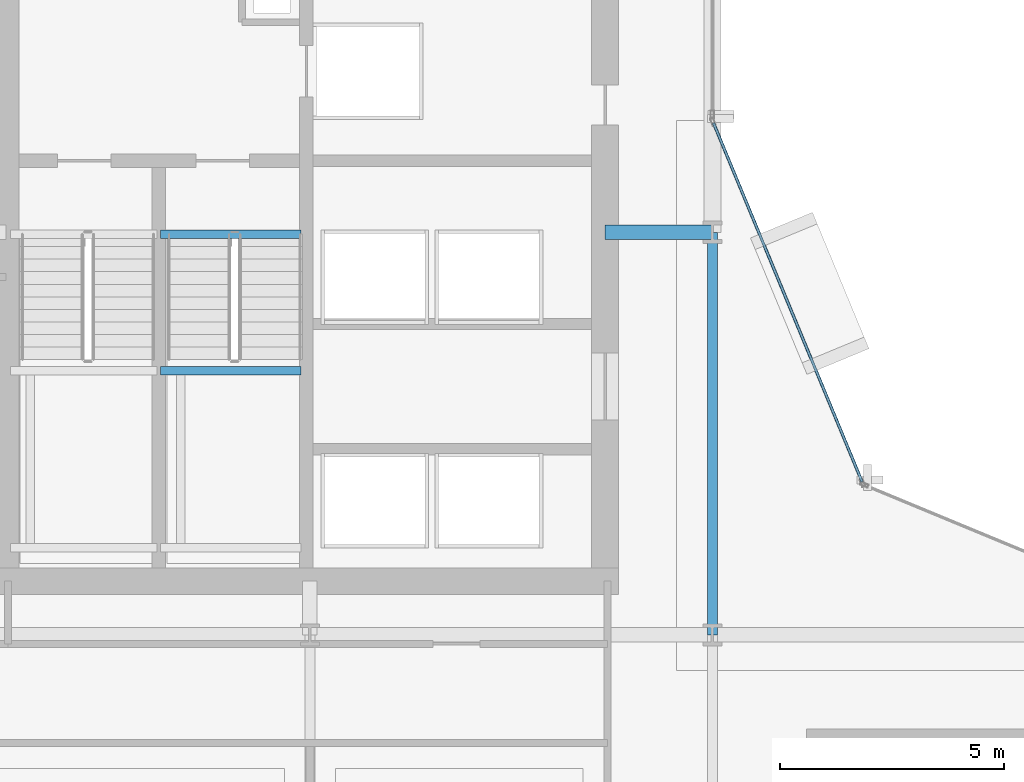
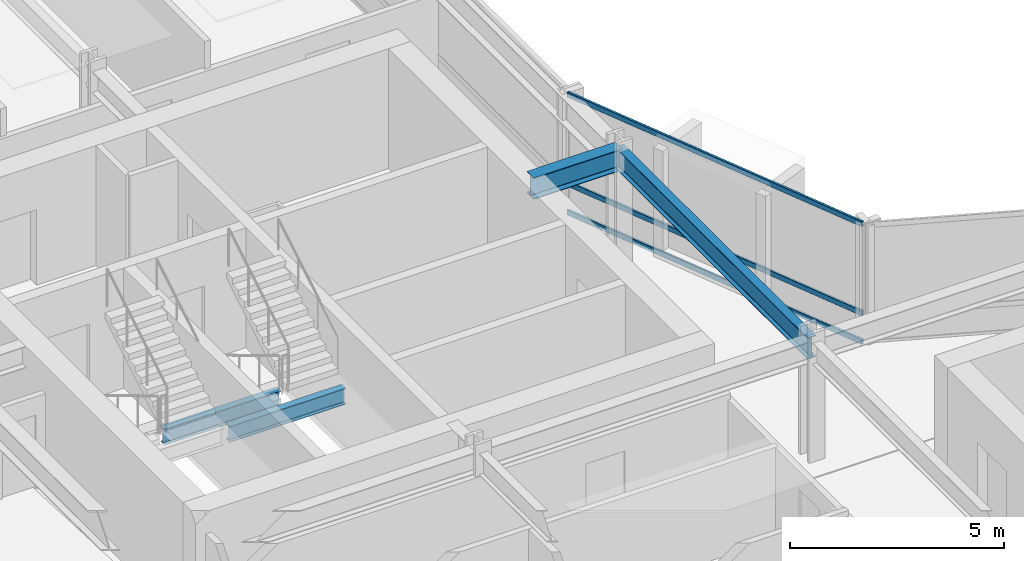
# One storey, part 20 of 34: 4 beams, 3 members, 1 element without a shape of its own.
"""IFC4 building model written with IfcOpenShell, lengths in metres."""

from ifc_helpers import new_model, si_unit, direction, frame, origin, origin_2d, place, context, subcontext, project, spatial, hollow_rectangle, i_section, extrude, material, layer, layer_set, material_profile, profile_set, type_object, element, aggregate, save


model = new_model("IFC4")

# Units and contexts
model_context = context("Model", 3, precision=1e-05, world=origin(), true_north=direction((0.0, 1.0)))
body_context = subcontext(model_context, "Body", "Model", "MODEL_VIEW")
ifc_project = project(units=[si_unit("LENGTHUNIT", "METRE"), si_unit("AREAUNIT", "SQUARE_METRE"), si_unit("VOLUMEUNIT", "CUBIC_METRE"), si_unit("PLANEANGLEUNIT", "RADIAN"), si_unit("MASSUNIT", "GRAM", prefix="KILO")], contexts=[model_context])

# Site, building, storey
site_placement = place(None, origin())
site = spatial("IfcSite", under=ifc_project, at=site_placement, CompositionType="ELEMENT")
building_placement = place(site_placement, origin())
building = spatial("IfcBuilding", under=site, at=building_placement, Name="Solvaryn Broadcast Tower", CompositionType="ELEMENT")
storey_placement = place(building_placement, frame((0.0, 0.0, 39.699951171875)))
storey = spatial("IfcBuildingStorey", under=building, at=storey_placement, Name="L08", CompositionType="ELEMENT", Elevation=39.699951171875)

# Beams
ifc_material_1 = material(Name="Steel ASTM A992 Grade 50", Category="steel")
ifc_material_profile_1 = material_profile(ifc_material_1, i_section(OverallWidth=0.323974609375, OverallDepth=0.611083984375, WebThickness=0.0126953125, FlangeThickness=0.01904296875, FilletRadius=0.014892578125, at=origin_2d()))
ifc_profile_set_1 = profile_set([ifc_material_profile_1], Name="Steel ASTM A992 Grade 50")
beam_type_1 = type_object("IfcBeamType", Name="BM-B1-W24X104", PredefinedType="BEAM", material=ifc_profile_set_1)
beam_1_placement = place(storey_placement, frame((24.60009765625, 36.0, 3.114501953125), z_axis=(1.0, 0.0, 0.0), x_axis=(0.0, 1.0, 0.0)))
element("IfcBeam", 1, at=beam_1_placement, inside=storey, type_object=beam_type_1, Name="L08 Core Tie Beam CTW2", PredefinedType="BEAM", context=body_context, shape_type="SweptSolid", body=[
    extrude(i_section(OverallWidth=0.323974609375, OverallDepth=0.611083984375, WebThickness=0.0126953125, FlangeThickness=0.01904296875, FilletRadius=0.014892578125, at=origin_2d()), origin(), (0.0, 0.0, 1.0), 2.39990234375),
])
ifc_material_2 = material(Name="Steel ASTM A992 Grade 50", Category="steel")
ifc_material_profile_2 = material_profile(ifc_material_2, i_section(OverallWidth=0.22802734375, OverallDepth=0.60791015625, WebThickness=0.01123046875, FlangeThickness=0.017333984375, FilletRadius=0.014892578125, at=origin_2d()))
ifc_profile_set_2 = profile_set([ifc_material_profile_2], Name="Steel ASTM A992 Grade 50")
beam_type_2 = type_object("IfcBeamType", Name="BM-B2-W24X76", PredefinedType="BEAM", material=ifc_profile_set_2)
beam_2_placement = place(storey_placement, frame((27.0, 27.0, 3.115966796875), z_axis=(0.0, 1.0, 0.0), x_axis=(-1.0, 0.0, 0.0)))
element("IfcBeam", 2, at=beam_2_placement, inside=storey, type_object=beam_type_2, Name="L08 Primary Beam Y (27-36 @ X=27)", PredefinedType="BEAM", context=body_context, shape_type="SweptSolid", body=[
    extrude(i_section(OverallWidth=0.22802734375, OverallDepth=0.60791015625, WebThickness=0.01123046875, FlangeThickness=0.017333984375, FilletRadius=0.014892578125, at=origin_2d()), origin(), (0.0, 0.0, 1.0), 9.0),
])
ifc_material_3 = material(Name="Steel ASTM A992 Grade 50", Category="steel")
ifc_material_profile_3 = material_profile(ifc_material_3, i_section(OverallWidth=0.18994140625, OverallDepth=0.45703125, WebThickness=0.009033203125, FlangeThickness=0.014404296875, FilletRadius=0.011962890625, at=origin_2d()))
ifc_profile_set_3 = profile_set([ifc_material_profile_3], Name="Steel ASTM A992 Grade 50")
beam_type_3 = type_object("IfcBeamType", Name="BM-B4-W18X50", PredefinedType="BEAM", material=ifc_profile_set_3)
for number, where, z_axis, x_axis, name in (
    (3, (14.659912109375, 35.9599609375, -0.508544921875), (1.0, 0.0, 0.0), (0.0, 1.0, 0.0), "L08 ST2 Stair Well Trimmer Beam"),
    (4, (14.659912109375, 32.909912109375, 1.421630859375), (1.0, 0.0, 0.0), (0.0, 1.0, 0.0), "L08 ST2 Landing Support Beam 1B"),
):
    element("IfcBeam", number, at=place(storey_placement, frame(where, z_axis=z_axis, x_axis=x_axis)), inside=storey, type_object=beam_type_3, Name=name, PredefinedType="BEAM", context=body_context, shape_type="SweptSolid", body=[
        extrude(i_section(OverallWidth=0.18994140625, OverallDepth=0.45703125, WebThickness=0.009033203125, FlangeThickness=0.014404296875, FilletRadius=0.011962890625, at=origin_2d()), origin(), (0.0, 0.0, 1.0), 3.14013671875),
    ])

# Curtain wall, members
ifc_material_4 = material(Name="Aluminium and Terracotta Unitised Curtain Wall", Category="masonry")
ifc_layer = layer(ifc_material_4, 0.199951171875)
ifc_layer_set = layer_set([ifc_layer], Name="CW-SYS2-LOWMID")
curtain_wall_type = type_object("IfcCurtainWallType", Name="CW-SYS2-LOWMID", PredefinedType="NOTDEFINED", material=ifc_layer_set)
curtain_wall_placement = place(storey_placement, origin())
curtain_wall = element("IfcCurtainWall", 5, at=curtain_wall_placement, inside=storey, type_object=curtain_wall_type, Name="L08 Curtain Wall CN2", PredefinedType="NOTDEFINED")
ifc_material_5 = material(Name="Anodised Aluminium 6063-T6", Category="aluminium")
ifc_material_profile_4 = material_profile(ifc_material_5, hollow_rectangle(XDim=0.06494140625, YDim=0.14990234375, WallThickness=0.00390625, InnerFilletRadius=0.00390625, OuterFilletRadius=0.008056640625, at=origin_2d()))
ifc_profile_set_4 = profile_set([ifc_material_profile_4], Name="Anodised Aluminium 6063-T6")
member_type = type_object("IfcMemberType", Name="CW-TRN-150", PredefinedType="USERDEFINED", material=ifc_profile_set_4)
member_1_placement = place(storey_placement, frame((30.344970703125, 30.42333984375, 0.030029296875), z_axis=(-0.382635748975, 0.923899282177, 0.0), x_axis=(-0.923899282177, -0.382635748975, 0.0)))
member_1 = element("IfcMember", 6, at=member_1_placement, type_object=member_type, Name="CWS2 transom 1.1", ObjectType="TRANSOM", PredefinedType="USERDEFINED", context=body_context, shape_type="SweptSolid", body=[
    extrude(hollow_rectangle(XDim=0.06494140625, YDim=0.14990234375, WallThickness=0.00390625, InnerFilletRadius=0.00390625, OuterFilletRadius=0.008056640625, at=origin_2d()), origin(), (0.0, 0.0, 1.0), 8.681884765625),
])
member_2_placement = place(storey_placement, frame((30.344970703125, 30.42333984375, 0.85009765625), z_axis=(-0.382635748975, 0.923899282177, 0.0), x_axis=(-0.923899282177, -0.382635748975, 0.0)))
member_2 = element("IfcMember", 7, at=member_2_placement, type_object=member_type, Name="CWS2 transom 1.2", ObjectType="TRANSOM", PredefinedType="USERDEFINED", context=body_context, shape_type="SweptSolid", body=[
    extrude(hollow_rectangle(XDim=0.06494140625, YDim=0.14990234375, WallThickness=0.00390625, InnerFilletRadius=0.00390625, OuterFilletRadius=0.008056640625, at=origin_2d()), origin(), (0.0, 0.0, 1.0), 8.681884765625),
])
member_3_placement = place(storey_placement, frame((30.344970703125, 30.42333984375, 3.39013671875), z_axis=(-0.382635748975, 0.923899282177, 0.0), x_axis=(-0.923899282177, -0.382635748975, 0.0)))
member_3 = element("IfcMember", 8, at=member_3_placement, type_object=member_type, Name="CWS2 transom 1.3", ObjectType="TRANSOM", PredefinedType="USERDEFINED", context=body_context, shape_type="SweptSolid", body=[
    extrude(hollow_rectangle(XDim=0.06494140625, YDim=0.14990234375, WallThickness=0.00390625, InnerFilletRadius=0.00390625, OuterFilletRadius=0.008056640625, at=origin_2d()), origin(), (0.0, 0.0, 1.0), 8.681884765625),
])
aggregate(curtain_wall, [member_1, member_2, member_3])

save(model, "model.ifc")
